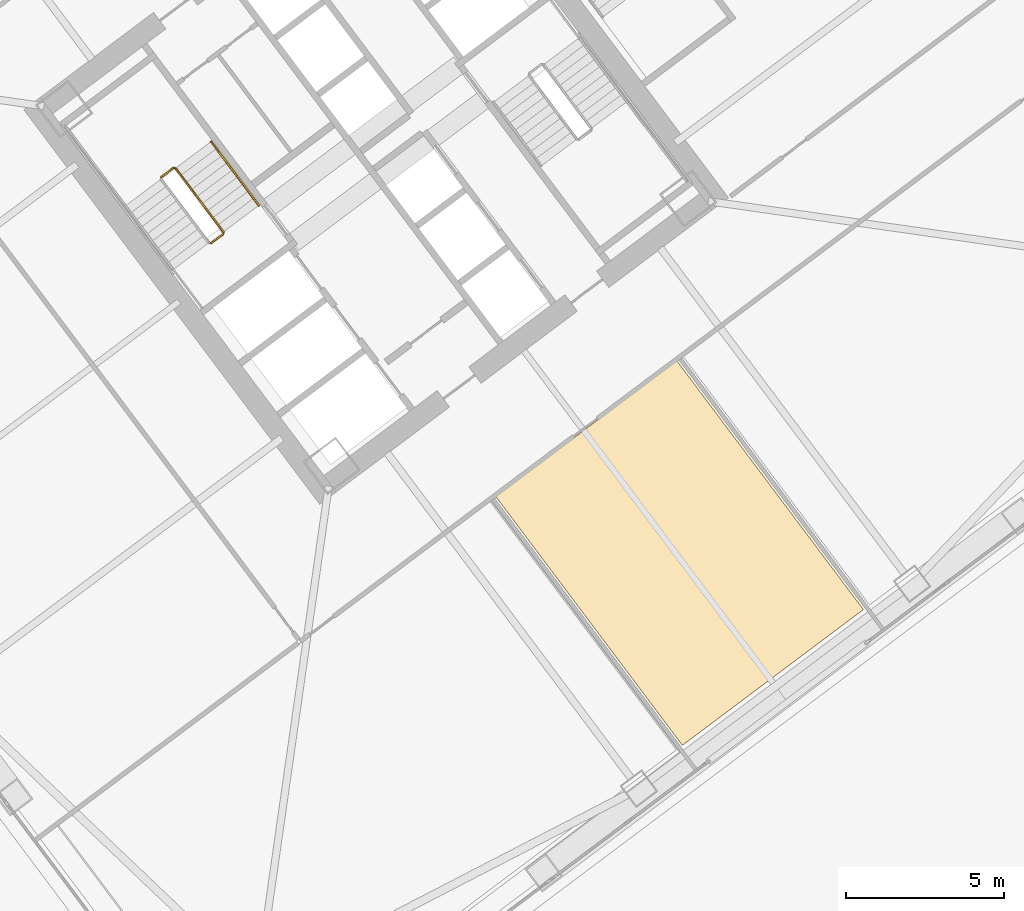
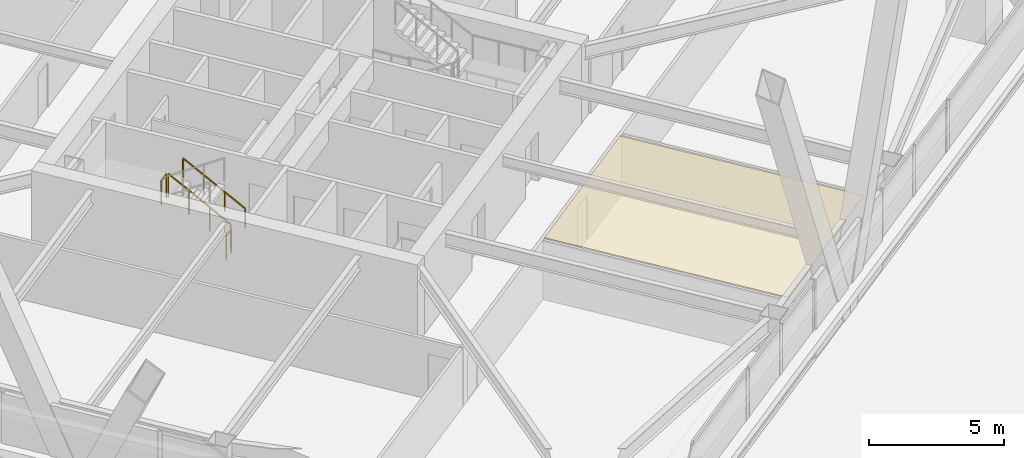
# One storey, part 78 of 83: 4 railings, 1 covering.
"""IFC4 building model written with IfcOpenShell, lengths in metres."""

from ifc_helpers import new_model, si_unit, direction, frame, origin, origin_2d, place, context, subcontext, project, spatial, polyline, rectangle, outline, extrude, material, layer, layer_set, type_object, element, save


model = new_model("IFC4")

# Units and contexts
model_context = context("Model", 3, precision=1e-05, world=origin(), true_north=direction((0.0, 1.0)))
body_context = subcontext(model_context, "Body", "Model", "MODEL_VIEW")
ifc_project = project(units=[si_unit("LENGTHUNIT", "METRE"), si_unit("AREAUNIT", "SQUARE_METRE"), si_unit("VOLUMEUNIT", "CUBIC_METRE"), si_unit("PLANEANGLEUNIT", "RADIAN"), si_unit("MASSUNIT", "GRAM", prefix="KILO")], contexts=[model_context])

# Site, building, storey
site_placement = place(None, origin())
site = spatial("IfcSite", under=ifc_project, at=site_placement, CompositionType="ELEMENT")
building_placement = place(site_placement, origin())
building = spatial("IfcBuilding", under=site, at=building_placement, Name="Tashvorn Skyway Center", CompositionType="ELEMENT")
storey_placement = place(building_placement, frame((0.0, 0.0, 24.60009765625)))
storey = spatial("IfcBuildingStorey", under=building, at=storey_placement, Name="L05", CompositionType="ELEMENT", Elevation=24.60009765625)

# Covering
ifc_material_1 = material(Name="Mineral-fibre acoustic ceiling tile on suspended grid")
ifc_layer = layer(ifc_material_1, 0.02001953125)
ifc_layer_set = layer_set([ifc_layer], Name="Mineral-fibre acoustic ceiling tile on suspended grid")
covering_type = type_object("IfcCoveringType", Name="COV-CEIL-20", PredefinedType="CEILING", material=ifc_layer_set)
covering_placement = place(storey_placement, frame((0.0, 0.0, 2.682861328125)))
element("IfcCovering", 1, at=covering_placement, inside=storey, type_object=covering_type, Name="Tower 2 L05 Catering Pantry Acoustic Ceiling", PredefinedType="CEILING", context=body_context, shape_type="SweptSolid", body=[
    extrude(outline(polyline([(117.780029296875, 21.159912109375), (123.508056640625, 25.4560546875), (129.412109375, 17.583984375), (123.68408203125, 13.2880859375), (117.780029296875, 21.159912109375)])), origin(), (0.0, 0.0, 1.0), 0.02001953125),
])

# Railings
ifc_material_2 = material(Name="Brushed stainless steel 316", Category="steel")
railing_type_1 = type_object("IfcRailingType", Name="RAIL-HAND-920", PredefinedType="HANDRAIL", material=ifc_material_2)
railing_1_placement = place(storey_placement, frame((110.2880859375, 30.365966796875, 0.177490234375)))
element("IfcRailing", 2, at=railing_1_placement, inside=storey, type_object=railing_type_1, Name="L05 ST-T2-1 stair handrail 1", PredefinedType="HANDRAIL", context=body_context, shape_type="SweptSolid", body=[
    extrude(rectangle(XDim=0.048095703125, YDim=0.048095703125, at=origin_2d()), frame((0.0, 0.0, 0.8759765625), z_axis=(-0.506801609611, 0.675680931896, 0.535357270211), x_axis=(-0.799976749893, -0.600030998891, 0.0)), (0.0, 0.0, 1.0), 2.98388671875),
    extrude(rectangle(XDim=0.0419921875, YDim=0.0419921875, at=origin_2d()), origin(), (0.0, 0.0, 1.0), 0.851806640625),
    extrude(rectangle(XDim=0.0419921875, YDim=0.0419921875, at=origin_2d()), frame((-0.504150390625, 0.672119140625, 0.532470703125)), (0.0, 0.0, 1.0), 0.851806640625),
    extrude(rectangle(XDim=0.0419921875, YDim=0.0419921875, at=origin_2d()), frame((-1.008056640625, 1.343994140625, 1.06494140625)), (0.0, 0.0, 1.0), 0.851806640625),
    extrude(rectangle(XDim=0.0419921875, YDim=0.0419921875, at=origin_2d()), frame((-1.51220703125, 2.01611328125, 1.597412109375)), (0.0, 0.0, 1.0), 0.851806640625),
])
ifc_material_3 = material(Name="Painted galvanized steel S355", Category="steel")
railing_type_2 = type_object("IfcRailingType", Name="RAIL-STGUARD-1100", PredefinedType="GUARDRAIL", material=ifc_material_3)
railing_2_placement = place(storey_placement, frame((109.16796875, 29.52587890625, 0.177490234375)))
element("IfcRailing", 3, at=railing_2_placement, inside=storey, type_object=railing_type_2, Name="L05 ST-T2-1 stair guard 1", PredefinedType="GUARDRAIL", context=body_context, shape_type="SweptSolid", body=[
    extrude(rectangle(XDim=0.048095703125, YDim=0.048095703125, at=origin_2d()), frame((0.0, 0.0, 1.076171875), z_axis=(-0.506740800098, 0.675708949977, 0.535379469569), x_axis=(-0.800023250257, -0.599968998406, 0.0)), (0.0, 0.0, 1.0), 2.983642578125),
    extrude(rectangle(XDim=0.0419921875, YDim=0.0419921875, at=origin_2d()), origin(), (0.0, 0.0, 1.0), 1.052001953125),
    extrude(rectangle(XDim=0.0419921875, YDim=0.0419921875, at=origin_2d()), frame((-0.50390625, 0.672119140625, 0.532470703125)), (0.0, 0.0, 1.0), 1.052001953125),
    extrude(rectangle(XDim=0.0419921875, YDim=0.0419921875, at=origin_2d()), frame((-1.008056640625, 1.343994140625, 1.06494140625)), (0.0, 0.0, 1.0), 1.052001953125),
    extrude(rectangle(XDim=0.0419921875, YDim=0.0419921875, at=origin_2d()), frame((-1.511962890625, 2.01611328125, 1.597412109375)), (0.0, 0.0, 1.0), 1.052001953125),
])
for number, where, name in (
    (4, (107.5859375, 31.552001953125, 1.77490234375), "L05 ST-T2-1 stair guard 2"),
    (5, (109.157958984375, 29.4560546875, 0.0), "L05 ST-T2-1 stair guard 5"),
):
    element("IfcRailing", number, at=place(storey_placement, frame(where)), inside=storey, type_object=railing_type_2, Name=name, PredefinedType="GUARDRAIL", context=body_context, shape_type="SweptSolid", body=[
        extrude(rectangle(XDim=0.048095703125, YDim=0.048095703125, at=origin_2d()), frame((0.0, 0.0, 1.076171875), z_axis=(-0.799938970639, -0.600081363861, 0.0), x_axis=(0.600081363861, -0.799938970639, 0.0)), (0.0, 0.0, 1.0), 0.47998046875),
        extrude(rectangle(XDim=0.0419921875, YDim=0.0419921875, at=origin_2d()), origin(), (0.0, 0.0, 1.0), 1.052001953125),
        extrude(rectangle(XDim=0.0419921875, YDim=0.0419921875, at=origin_2d()), frame((-0.384033203125, -0.2880859375, 0.0)), (0.0, 0.0, 1.0), 1.052001953125),
    ])

save(model, "model.ifc")
